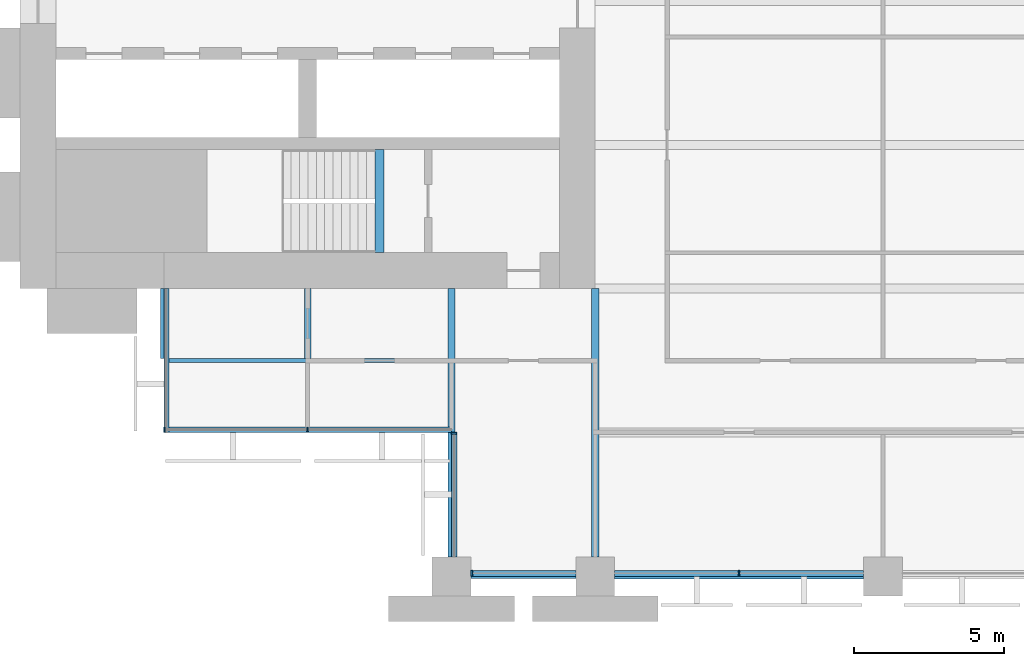
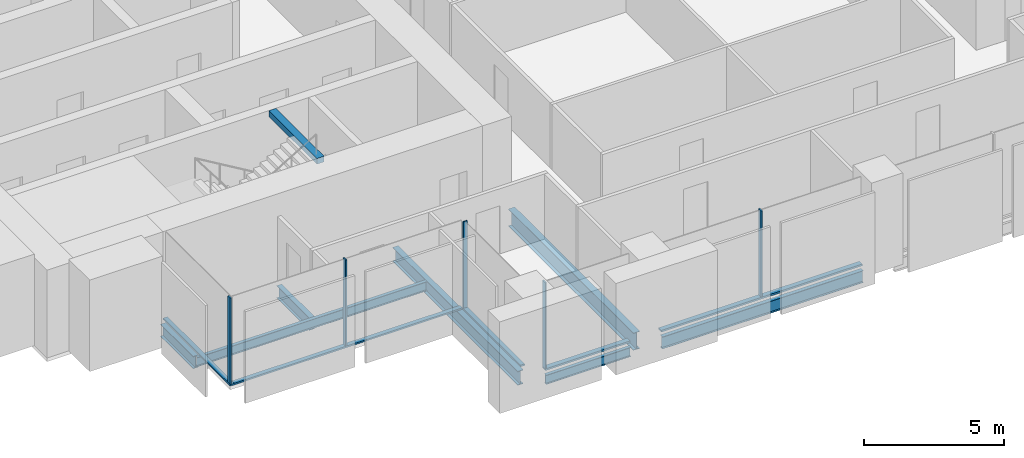
# One storey, part 2 of 14: 10 members, 8 beams, 4 elements without a shape of their own.
"""IFC4 building model written with IfcOpenShell, lengths in metres."""

from ifc_helpers import new_model, si_unit, direction, frame, origin, origin_2d, place, context, subcontext, project, spatial, rectangle, i_section, extrude, material, material_profile, profile_set, type_object, element, aggregate, save


model = new_model("IFC4")

# Units and contexts
model_context = context("Model", 3, precision=1e-05, world=origin(), true_north=direction((0.0, 1.0)))
body_context = subcontext(model_context, "Body", "Model", "MODEL_VIEW")
ifc_project = project(units=[si_unit("LENGTHUNIT", "METRE"), si_unit("AREAUNIT", "SQUARE_METRE"), si_unit("VOLUMEUNIT", "CUBIC_METRE"), si_unit("PLANEANGLEUNIT", "RADIAN"), si_unit("MASSUNIT", "GRAM", prefix="KILO")], contexts=[model_context])

# Site, building, storey
site_placement = place(None, origin())
site = spatial("IfcSite", under=ifc_project, at=site_placement, CompositionType="ELEMENT")
building_placement = place(site_placement, origin())
building = spatial("IfcBuilding", under=site, at=building_placement, Name="Baori Bourse Tower", CompositionType="ELEMENT")
storey_placement = place(building_placement, frame((0.0, 0.0, 55.0)))
storey = spatial("IfcBuildingStorey", under=building, at=storey_placement, Name="L11", CompositionType="ELEMENT", Elevation=55.0)

# Curtain wall, members
ifc_material_1 = material(Name="Pale anodised aluminium", Category="aluminium")
curtain_wall_type_1 = type_object("IfcCurtainWallType", Name="CW1 Curtain wall", PredefinedType="NOTDEFINED", material=ifc_material_1)
curtain_wall_1_placement = place(storey_placement, origin())
curtain_wall_1 = element("IfcCurtainWall", 1, at=curtain_wall_1_placement, inside=storey, type_object=curtain_wall_type_1, Name="Curtain wall CW1 L11 11", PredefinedType="NOTDEFINED")
ifc_material_2 = material(Name="Pale anodised aluminium", Category="aluminium")
ifc_material_profile_1 = material_profile(ifc_material_2, rectangle(XDim=0.199951171875, YDim=0.06005859375, at=origin_2d()), Name="Mullion 60x200")
ifc_profile_set_1 = profile_set([ifc_material_profile_1], Name="Pale anodised aluminium")
member_type_1 = type_object("IfcMemberType", Name="CW1 Curtain wall mullion", PredefinedType="MULLION", material=ifc_profile_set_1)
member_1_placement = place(storey_placement, frame((15.080078125, 0.10009765625, 0.080078125), z_axis=(0.0, 0.0, 1.0), x_axis=(0.0, 1.0, 0.0)))
member_1 = element("IfcMember", 2, at=member_1_placement, type_object=member_type_1, Name="Curtain wall CW1 mullion", PredefinedType="MULLION", context=body_context, shape_type="SweptSolid", body=[
    extrude(rectangle(XDim=0.199951171875, YDim=0.06005859375, at=origin_2d()), origin(), (0.0, 0.0, 1.0), 3.760009765625),
])
member_2_placement = place(storey_placement, frame((24.0, 0.10009765625, 0.080078125), z_axis=(0.0, 0.0, 1.0), x_axis=(0.0, 1.0, 0.0)))
member_2 = element("IfcMember", 3, at=member_2_placement, type_object=member_type_1, Name="Curtain wall CW1 mullion", PredefinedType="MULLION", context=body_context, shape_type="SweptSolid", body=[
    extrude(rectangle(XDim=0.199951171875, YDim=0.06005859375, at=origin_2d()), origin(), (0.0, 0.0, 1.0), 3.760009765625),
])
ifc_material_3 = material(Name="Pale anodised aluminium", Category="aluminium")
ifc_material_profile_2 = material_profile(ifc_material_3, rectangle(XDim=0.199951171875, YDim=0.080078125, at=origin_2d()), Name="Transom 80x200")
ifc_profile_set_2 = profile_set([ifc_material_profile_2], Name="Pale anodised aluminium")
member_type_2 = type_object("IfcMemberType", Name="CW1 Curtain wall transom", PredefinedType="USERDEFINED", material=ifc_profile_set_2)
member_3_placement = place(storey_placement, frame((15.050048828125, 0.10009765625, 0.0400390625), z_axis=(1.0, 0.0, 0.0), x_axis=(0.0, 1.0, 0.0)))
member_3 = element("IfcMember", 4, at=member_3_placement, type_object=member_type_2, Name="Curtain wall CW1 sill rail", ObjectType="TRANSOM", PredefinedType="USERDEFINED", context=body_context, shape_type="SweptSolid", body=[
    extrude(rectangle(XDim=0.199951171875, YDim=0.080078125, at=origin_2d()), origin(), (0.0, 0.0, 1.0), 3.5),
])
member_4_placement = place(storey_placement, frame((19.85009765625, 0.10009765625, 0.0400390625), z_axis=(1.0, 0.0, 0.0), x_axis=(0.0, 1.0, 0.0)))
member_4 = element("IfcMember", 5, at=member_4_placement, type_object=member_type_2, Name="Curtain wall CW1 sill rail", ObjectType="TRANSOM", PredefinedType="USERDEFINED", context=body_context, shape_type="SweptSolid", body=[
    extrude(rectangle(XDim=0.199951171875, YDim=0.080078125, at=origin_2d()), origin(), (0.0, 0.0, 1.0), 8.2998046875),
])
aggregate(curtain_wall_1, [member_3, member_1, member_4, member_2])

ifc_material_4 = material(Name="Pale anodised aluminium", Category="aluminium")
curtain_wall_type_2 = type_object("IfcCurtainWallType", Name="CW2 Curtain wall", PredefinedType="NOTDEFINED", material=ifc_material_4)
curtain_wall_2_placement = place(storey_placement, origin())
curtain_wall_2 = element("IfcCurtainWall", 6, at=curtain_wall_2_placement, inside=storey, type_object=curtain_wall_type_2, Name="Curtain wall CW2 L11 9", PredefinedType="NOTDEFINED")
ifc_material_5 = material(Name="Pale anodised aluminium", Category="aluminium")
ifc_material_profile_3 = material_profile(ifc_material_5, rectangle(XDim=0.179931640625, YDim=0.054931640625, at=origin_2d()), Name="Mullion 55x180")
ifc_profile_set_3 = profile_set([ifc_material_profile_3], Name="Pale anodised aluminium")
member_type_3 = type_object("IfcMemberType", Name="CW2 Curtain wall mullion", PredefinedType="MULLION", material=ifc_profile_set_3)
member_5_placement = place(storey_placement, frame((4.827392578125, 4.889892578125, 0.070068359375), z_axis=(0.0, 0.0, 1.0), x_axis=(0.0, 1.0, 0.0)))
member_5 = element("IfcMember", 7, at=member_5_placement, type_object=member_type_3, Name="Curtain wall CW2 mullion", PredefinedType="MULLION", context=body_context, shape_type="SweptSolid", body=[
    extrude(rectangle(XDim=0.179931640625, YDim=0.054931640625, at=origin_2d()), origin(), (0.0, 0.0, 1.0), 3.77001953125),
])
member_6_placement = place(storey_placement, frame((9.60009765625, 4.889892578125, 0.070068359375), z_axis=(0.0, 0.0, 1.0), x_axis=(0.0, 1.0, 0.0)))
member_6 = element("IfcMember", 8, at=member_6_placement, type_object=member_type_3, Name="Curtain wall CW2 mullion", PredefinedType="MULLION", context=body_context, shape_type="SweptSolid", body=[
    extrude(rectangle(XDim=0.179931640625, YDim=0.054931640625, at=origin_2d()), origin(), (0.0, 0.0, 1.0), 3.77001953125),
])

# Curtain wall, member
curtain_wall_3_placement = place(storey_placement, origin())
curtain_wall_3 = element("IfcCurtainWall", 9, at=curtain_wall_3_placement, inside=storey, type_object=curtain_wall_type_2, Name="Curtain wall CW2 L11 10", PredefinedType="NOTDEFINED")
member_7_placement = place(storey_placement, frame((14.489990234375, 4.7724609375, 0.070068359375), z_axis=(0.0, 0.0, 1.0), x_axis=(1.0, 0.0, 0.0)))
member_7 = element("IfcMember", 10, at=member_7_placement, type_object=member_type_3, Name="Curtain wall CW2 mullion", PredefinedType="MULLION", context=body_context, shape_type="SweptSolid", body=[
    extrude(rectangle(XDim=0.179931640625, YDim=0.054931640625, at=origin_2d()), origin(), (0.0, 0.0, 1.0), 3.77001953125),
])

curtain_wall_4_placement = place(storey_placement, origin())
curtain_wall_4 = element("IfcCurtainWall", 11, at=curtain_wall_4_placement, inside=storey, type_object=curtain_wall_type_2, Name="Curtain wall CW2 L11 8", PredefinedType="NOTDEFINED")
ifc_material_6 = material(Name="Pale anodised aluminium", Category="aluminium")
ifc_material_profile_4 = material_profile(ifc_material_6, rectangle(XDim=0.179931640625, YDim=0.070068359375, at=origin_2d()), Name="Transom 70x180")
ifc_profile_set_4 = profile_set([ifc_material_profile_4], Name="Pale anodised aluminium")
member_type_4 = type_object("IfcMemberType", Name="CW2 Curtain wall transom", PredefinedType="USERDEFINED", material=ifc_profile_set_4)
member_8_placement = place(storey_placement, frame((4.889892578125, 9.60009765625, 0.034912109375), z_axis=(0.0, -1.0, 0.0), x_axis=(1.0, 0.0, 0.0)))
member_8 = element("IfcMember", 12, at=member_8_placement, type_object=member_type_4, Name="Curtain wall CW2 sill rail", ObjectType="TRANSOM", PredefinedType="USERDEFINED", context=body_context, shape_type="SweptSolid", body=[
    extrude(rectangle(XDim=0.179931640625, YDim=0.070068359375, at=origin_2d()), origin(), (0.0, 0.0, 1.0), 4.800048828125),
])
aggregate(curtain_wall_4, [member_8])

# Member
member_9_placement = place(storey_placement, frame((4.800048828125, 4.889892578125, 0.034912109375), z_axis=(1.0, 0.0, 0.0), x_axis=(0.0, 1.0, 0.0)))
member_9 = element("IfcMember", 13, at=member_9_placement, type_object=member_type_4, Name="Curtain wall CW2 sill rail", ObjectType="TRANSOM", PredefinedType="USERDEFINED", context=body_context, shape_type="SweptSolid", body=[
    extrude(rectangle(XDim=0.179931640625, YDim=0.070068359375, at=origin_2d()), origin(), (0.0, 0.0, 1.0), 9.599853515625),
])

aggregate(curtain_wall_2, [member_9, member_5, member_6])

member_10_placement = place(storey_placement, frame((14.489990234375, 4.800048828125, 0.034912109375), z_axis=(0.0, -1.0, 0.0), x_axis=(1.0, 0.0, 0.0)))
member_10 = element("IfcMember", 14, at=member_10_placement, type_object=member_type_4, Name="Curtain wall CW2 sill rail", ObjectType="TRANSOM", PredefinedType="USERDEFINED", context=body_context, shape_type="SweptSolid", body=[
    extrude(rectangle(XDim=0.179931640625, YDim=0.070068359375, at=origin_2d()), origin(), (0.0, 0.0, 1.0), 4.150146484375),
])

aggregate(curtain_wall_3, [member_10, member_7])

# Beams
ifc_material_7 = material(Name="Steel A992 Gr 50", Category="steel")
ifc_material_profile_5 = material_profile(ifc_material_7, i_section(OverallWidth=0.21240234375, OverallDepth=0.54345703125, WebThickness=0.01318359375, FlangeThickness=0.021240234375, at=origin_2d()), Name="W21x83")
ifc_profile_set_5 = profile_set([ifc_material_profile_5], Name="Steel A992 Gr 50")
beam_type_1 = type_object("IfcBeamType", Name="Core bracket W21x83", PredefinedType="BEAM", material=ifc_profile_set_5)
for number, where, z_axis, x_axis, name in (
    (15, (4.800048828125, 7.270263671875, -0.431884765625), (0.0, 1.0, 0.0), (-1.0, 0.0, 0.0), "Core bracket L11"),
    (16, (9.60009765625, 7.270263671875, -0.431884765625), (0.0, 1.0, 0.0), (-1.0, 0.0, 0.0), "Core bracket L11"),
):
    element("IfcBeam", number, at=place(storey_placement, frame(where, z_axis=z_axis, x_axis=x_axis)), inside=storey, type_object=beam_type_1, Name=name, PredefinedType="BEAM", context=body_context, shape_type="SweptSolid", body=[
        extrude(i_section(OverallWidth=0.21240234375, OverallDepth=0.54345703125, WebThickness=0.01318359375, FlangeThickness=0.021240234375, at=origin_2d()), origin(), (0.0, 0.0, 1.0), 2.329833984375),
    ])
ifc_material_8 = material(Name="Steel A992 Gr 50", Category="steel")
ifc_material_profile_6 = material_profile(ifc_material_8, i_section(OverallWidth=0.140380859375, OverallDepth=0.40380859375, WebThickness=0.007080078125, FlangeThickness=0.01123046875, at=origin_2d()), Name="W16x31")
ifc_profile_set_6 = profile_set([ifc_material_profile_6], Name="Steel A992 Gr 50")
beam_type_2 = type_object("IfcBeamType", Name="Edge beam W16x31", PredefinedType="BEAM", material=ifc_profile_set_6)
beam_1_placement = place(storey_placement, frame((15.050048828125, 0.0, -0.36181640625), z_axis=(1.0, 0.0, 0.0), x_axis=(0.0, 1.0, 0.0)))
element("IfcBeam", 17, at=beam_1_placement, inside=storey, type_object=beam_type_2, Name="Edge beam L11", PredefinedType="BEAM", context=body_context, shape_type="SweptSolid", body=[
    extrude(i_section(OverallWidth=0.140380859375, OverallDepth=0.40380859375, WebThickness=0.007080078125, FlangeThickness=0.01123046875, at=origin_2d()), origin(), (0.0, 0.0, 1.0), 3.5),
])
ifc_material_9 = material(Name="Steel A992 Gr 50", Category="steel")
ifc_material_profile_7 = material_profile(ifc_material_9, i_section(OverallWidth=0.1650390625, OverallDepth=0.52587890625, WebThickness=0.0087890625, FlangeThickness=0.011474609375, at=origin_2d()), Name="W21x44")
ifc_profile_set_7 = profile_set([ifc_material_profile_7], Name="Steel A992 Gr 50")
beam_type_3 = type_object("IfcBeamType", Name="Edge beam W21x44", PredefinedType="BEAM", material=ifc_profile_set_7)
beam_2_placement = place(storey_placement, frame((19.85009765625, 0.0, -0.4228515625), z_axis=(1.0, 0.0, 0.0), x_axis=(0.0, 1.0, 0.0)))
element("IfcBeam", 18, at=beam_2_placement, inside=storey, type_object=beam_type_3, Name="Edge beam L11", PredefinedType="BEAM", context=body_context, shape_type="SweptSolid", body=[
    extrude(i_section(OverallWidth=0.1650390625, OverallDepth=0.52587890625, WebThickness=0.0087890625, FlangeThickness=0.011474609375, at=origin_2d()), origin(), (0.0, 0.0, 1.0), 8.2998046875),
])
ifc_material_10 = material(Name="Steel A992 Gr 50", Category="steel")
ifc_material_profile_8 = material_profile(ifc_material_10, i_section(OverallWidth=0.22900390625, OverallDepth=0.612060546875, WebThickness=0.011962890625, FlangeThickness=0.01953125, at=origin_2d()), Name="W24x84")
ifc_profile_set_8 = profile_set([ifc_material_profile_8], Name="Steel A992 Gr 50")
beam_type_4 = type_object("IfcBeamType", Name="Floor beam W24x84", PredefinedType="BEAM", material=ifc_profile_set_8)
beam_3_placement = place(storey_placement, frame((14.39990234375, 0.64990234375, -0.466064453125), z_axis=(0.0, 1.0, 0.0), x_axis=(-1.0, 0.0, 0.0)))
element("IfcBeam", 19, at=beam_3_placement, inside=storey, type_object=beam_type_4, Name="Floor beam L11", PredefinedType="BEAM", context=body_context, shape_type="SweptSolid", body=[
    extrude(i_section(OverallWidth=0.22900390625, OverallDepth=0.612060546875, WebThickness=0.011962890625, FlangeThickness=0.01953125, at=origin_2d()), origin(), (0.0, 0.0, 1.0), 8.9501953125),
])
ifc_material_11 = material(Name="Steel A992 Gr 50", Category="steel")
ifc_material_profile_9 = material_profile(ifc_material_11, i_section(OverallWidth=0.2666015625, OverallDepth=0.7568359375, WebThickness=0.013916015625, FlangeThickness=0.019287109375, at=origin_2d()), Name="W30x108")
ifc_profile_set_9 = profile_set([ifc_material_profile_9], Name="Steel A992 Gr 50")
beam_type_5 = type_object("IfcBeamType", Name="Girder W30x108", PredefinedType="BEAM", material=ifc_profile_set_9)
beam_4_placement = place(storey_placement, frame((19.199951171875, 0.64990234375, -0.53857421875), z_axis=(0.0, 1.0, 0.0), x_axis=(-1.0, 0.0, 0.0)))
element("IfcBeam", 20, at=beam_4_placement, inside=storey, type_object=beam_type_5, Name="Girder L11", PredefinedType="BEAM", context=body_context, shape_type="SweptSolid", body=[
    extrude(i_section(OverallWidth=0.2666015625, OverallDepth=0.7568359375, WebThickness=0.013916015625, FlangeThickness=0.019287109375, at=origin_2d()), origin(), (0.0, 0.0, 1.0), 8.9501953125),
])
ifc_material_12 = material(Name="Concrete f'c 50 MPa", Category="concrete")
ifc_material_profile_10 = material_profile(ifc_material_12, rectangle(XDim=0.300048828125, YDim=0.25, at=origin_2d()), Name="RC 300x250")
ifc_profile_set_10 = profile_set([ifc_material_profile_10], Name="Concrete f'c 50 MPa")
beam_type_6 = type_object("IfcBeamType", Name="Stair nib beam RC 300x250", PredefinedType="BEAM", material=ifc_profile_set_10)
beam_5_placement = place(storey_placement, frame((12.0, 10.800048828125, 3.715087890625), z_axis=(0.0, 1.0, 0.0), x_axis=(-1.0, 0.0, 0.0)))
element("IfcBeam", 21, at=beam_5_placement, inside=storey, type_object=beam_type_6, Name="Stair WA nib beam L12", PredefinedType="BEAM", context=body_context, shape_type="SweptSolid", body=[
    extrude(rectangle(XDim=0.300048828125, YDim=0.25, at=origin_2d()), origin(), (0.0, 0.0, 1.0), 3.449951171875),
])
ifc_material_13 = material(Name="Steel A992 Gr 50", Category="steel")
ifc_material_profile_11 = material_profile(ifc_material_13, i_section(OverallWidth=0.140380859375, OverallDepth=0.40380859375, WebThickness=0.007080078125, FlangeThickness=0.01123046875, at=origin_2d()), Name="W16x31")
ifc_profile_set_11 = profile_set([ifc_material_profile_11], Name="Steel A992 Gr 50")
beam_type_7 = type_object("IfcBeamType", Name="Trimmer beam W16x31", PredefinedType="BEAM", material=ifc_profile_set_11)
beam_6_placement = place(storey_placement, frame((4.800048828125, 7.199951171875, -0.36181640625), z_axis=(1.0, 0.0, 0.0), x_axis=(0.0, 1.0, 0.0)))
element("IfcBeam", 22, at=beam_6_placement, inside=storey, type_object=beam_type_7, Name="Trimmer beam L11", PredefinedType="BEAM", context=body_context, shape_type="SweptSolid", body=[
    extrude(i_section(OverallWidth=0.140380859375, OverallDepth=0.40380859375, WebThickness=0.007080078125, FlangeThickness=0.01123046875, at=origin_2d()), origin(), (0.0, 0.0, 1.0), 9.4853515625),
])

save(model, "model.ifc")
